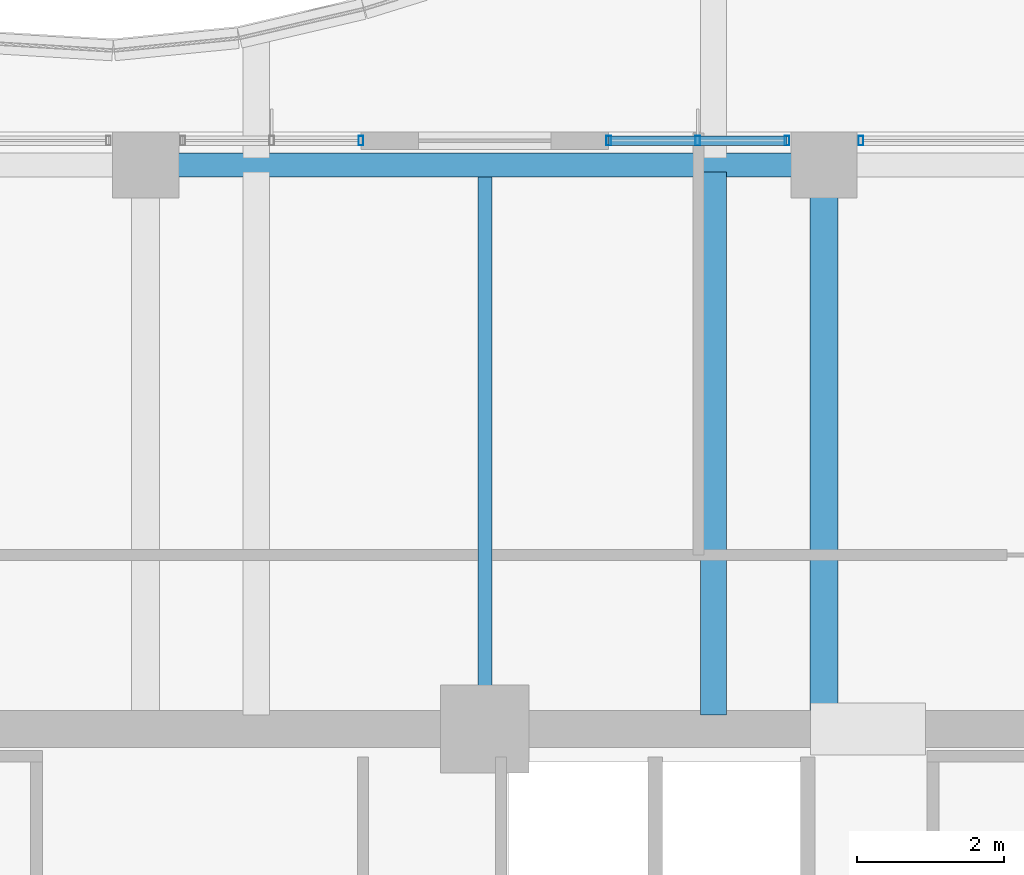
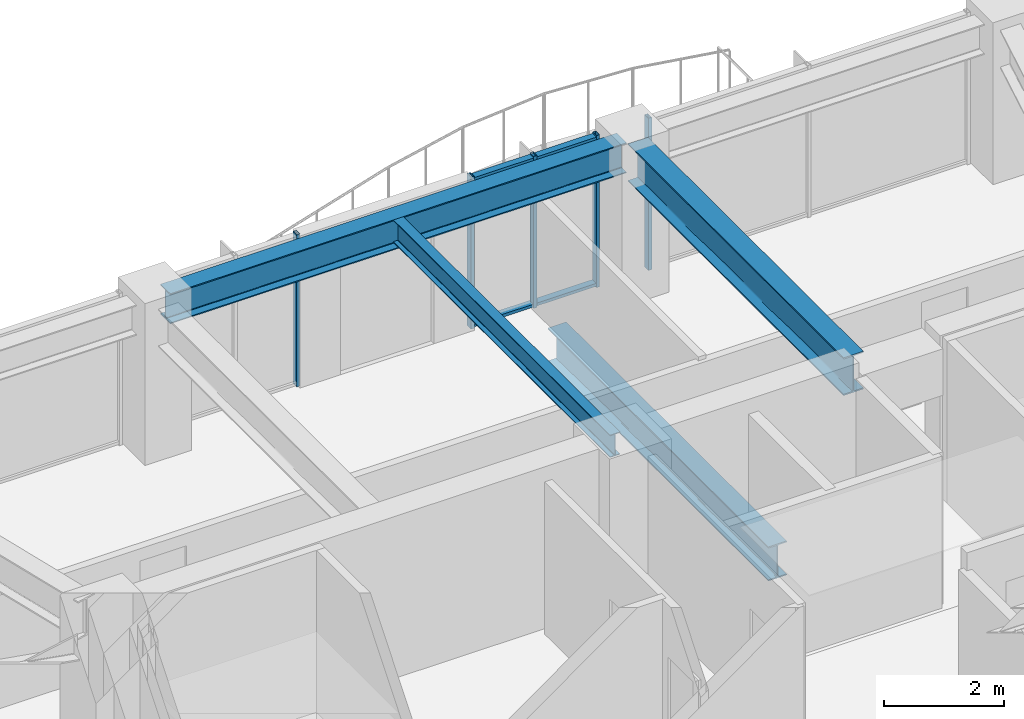
# One storey, part 18 of 31: 7 members, 4 beams, 3 elements without a shape of their own.
"""IFC4 building model written with IfcOpenShell, lengths in metres."""

from ifc_helpers import new_model, si_unit, direction, frame, origin, origin_2d, place, context, subcontext, project, spatial, hollow_rectangle, i_section, extrude, material, material_profile, profile_set, type_object, element, aggregate, save


model = new_model("IFC4")

# Units and contexts
model_context = context("Model", 3, precision=1e-05, world=origin(), true_north=direction((0.0, 1.0)))
body_context = subcontext(model_context, "Body", "Model", "MODEL_VIEW")
ifc_project = project(units=[si_unit("LENGTHUNIT", "METRE"), si_unit("AREAUNIT", "SQUARE_METRE"), si_unit("VOLUMEUNIT", "CUBIC_METRE"), si_unit("PLANEANGLEUNIT", "RADIAN"), si_unit("MASSUNIT", "GRAM", prefix="KILO")], contexts=[model_context])

# Site, building, storey
site_placement = place(None, origin())
site = spatial("IfcSite", under=ifc_project, at=site_placement, CompositionType="ELEMENT")
building_placement = place(site_placement, origin())
building = spatial("IfcBuilding", under=site, at=building_placement, Name="Kolvaren Belvedere", CompositionType="ELEMENT")
storey_placement = place(building_placement, frame((0.0, 0.0, 134.89990234375)))
storey = spatial("IfcBuildingStorey", under=building, at=storey_placement, Name="L39", CompositionType="ELEMENT", Elevation=134.89990234375)

# Beams
ifc_material_1 = material(Name="Structural steel ASTM A992 Grade 50", Category="steel")
ifc_material_profile_1 = material_profile(ifc_material_1, i_section(OverallWidth=0.35498046875, OverallDepth=0.696044921875, WebThickness=0.015380859375, FlangeThickness=0.02490234375, FilletRadius=0.02197265625, at=origin_2d()), Name="W27X146")
ifc_profile_set_1 = profile_set([ifc_material_profile_1], Name="Structural steel ASTM A992 Grade 50")
beam_type_1 = type_object("IfcBeamType", Name="BM-GIRD-W27X146", PredefinedType="BEAM", material=ifc_profile_set_1)
beam_1_placement = place(storey_placement, frame((3.10009765625, 10.090087890625, -0.5478515625), z_axis=(0.0, 1.0, 0.0), x_axis=(-1.0, 0.0, 0.0)))
element("IfcBeam", 1, at=beam_1_placement, inside=storey, type_object=beam_type_1, Name="L39 Balcony Interior Back-Span Girder BAL-N-2", PredefinedType="BEAM", context=body_context, shape_type="SweptSolid", body=[
    extrude(i_section(OverallWidth=0.35498046875, OverallDepth=0.696044921875, WebThickness=0.015380859375, FlangeThickness=0.02490234375, FilletRadius=0.02197265625, at=origin_2d()), origin(), (0.0, 0.0, 1.0), 7.364990234375),
])
ifc_material_2 = material(Name="Structural steel ASTM A992 Grade 50", Category="steel")
ifc_material_profile_2 = material_profile(ifc_material_2, i_section(OverallWidth=0.381103515625, OverallDepth=0.77294921875, WebThickness=0.0166015625, FlangeThickness=0.027099609375, FilletRadius=0.02392578125, at=origin_2d()), Name="W30X173")
ifc_profile_set_2 = profile_set([ifc_material_profile_2], Name="Structural steel ASTM A992 Grade 50")
beam_type_2 = type_object("IfcBeamType", Name="BM-GIRD-W30X173", PredefinedType="BEAM", material=ifc_profile_set_2)
beam_2_placement = place(storey_placement, frame((4.60009765625, 10.14990234375, 2.713623046875), z_axis=(0.0, 1.0, 0.0), x_axis=(-1.0, 0.0, 0.0)))
element("IfcBeam", 2, at=beam_2_placement, inside=storey, type_object=beam_type_2, Name="L39 North Radial Girder P", PredefinedType="BEAM", context=body_context, shape_type="SweptSolid", body=[
    extrude(i_section(OverallWidth=0.381103515625, OverallDepth=0.77294921875, WebThickness=0.0166015625, FlangeThickness=0.027099609375, FilletRadius=0.02392578125, at=origin_2d()), origin(), (0.0, 0.0, 1.0), 7.197509765625),
])
ifc_material_3 = material(Name="Structural steel ASTM A992 Grade 50", Category="steel")
ifc_material_profile_3 = material_profile(ifc_material_3, i_section(OverallWidth=0.19091796875, OverallDepth=0.4599609375, WebThickness=0.010009765625, FlangeThickness=0.01611328125, FilletRadius=0.014892578125, at=origin_2d()), Name="W18X55")
ifc_profile_set_3 = profile_set([ifc_material_profile_3], Name="Structural steel ASTM A992 Grade 50")
beam_type_3 = type_object("IfcBeamType", Name="BM-JOIST-W18X55", PredefinedType="BEAM", material=ifc_profile_set_3)
beam_3_placement = place(storey_placement, frame((0.0, 10.14990234375, 2.8701171875), z_axis=(0.0, 1.0, 0.0), x_axis=(-1.0, 0.0, 0.0)))
element("IfcBeam", 3, at=beam_3_placement, inside=storey, type_object=beam_type_3, Name="L39 North Centre Floor Beam", PredefinedType="BEAM", context=body_context, shape_type="SweptSolid", body=[
    extrude(i_section(OverallWidth=0.19091796875, OverallDepth=0.4599609375, WebThickness=0.010009765625, FlangeThickness=0.01611328125, FilletRadius=0.014892578125, at=origin_2d()), origin(), (0.0, 0.0, 1.0), 7.237548828125),
])
ifc_material_4 = material(Name="Structural steel ASTM A992 Grade 50", Category="steel")
ifc_material_profile_4 = material_profile(ifc_material_4, i_section(OverallWidth=0.324951171875, OverallDepth=0.615966796875, WebThickness=0.013916015625, FlangeThickness=0.021484375, FilletRadius=0.02001953125, at=origin_2d()), Name="W24X117")
ifc_profile_set_4 = profile_set([ifc_material_profile_4], Name="Structural steel ASTM A992 Grade 50")
beam_type_4 = type_object("IfcBeamType", Name="BM-SPAN-W24X117", PredefinedType="SPANDREL", material=ifc_profile_set_4)
beam_4_placement = place(storey_placement, frame((4.3974609375, 17.550048828125, 2.7919921875), z_axis=(-1.0, 0.0, 0.0), x_axis=(0.0, -1.0, 0.0)))
element("IfcBeam", 4, at=beam_4_placement, inside=storey, type_object=beam_type_4, Name="L39 Perimeter Spandrel N3-N2", PredefinedType="SPANDREL", context=body_context, shape_type="SweptSolid", body=[
    extrude(i_section(OverallWidth=0.324951171875, OverallDepth=0.615966796875, WebThickness=0.013916015625, FlangeThickness=0.021484375, FilletRadius=0.02001953125, at=origin_2d()), origin(), (0.0, 0.0, 1.0), 8.794921875),
])

# Curtain wall, member
ifc_material_5 = material(Name="Anodised pale-metal aluminium AA 6063-T6", Category="aluminium")
curtain_wall_type = type_object("IfcCurtainWallType", Name="CW-Z3-WAIST", PredefinedType="NOTDEFINED", material=ifc_material_5)
curtain_wall_1_placement = place(storey_placement, origin())
curtain_wall_1 = element("IfcCurtainWall", 5, at=curtain_wall_1_placement, inside=storey, type_object=curtain_wall_type, Name="L39 Unitised Curtain Wall FCW-L39-N1-B2", PredefinedType="NOTDEFINED")
ifc_material_6 = material(Name="Anodised pale-metal aluminium AA 6063-T6", Category="aluminium")
ifc_material_profile_5 = material_profile(ifc_material_6, hollow_rectangle(XDim=0.06494140625, YDim=0.1298828125, WallThickness=0.00390625, at=origin_2d()), Name="ALU-MUL-130X65")
ifc_profile_set_5 = profile_set([ifc_material_profile_5], Name="Anodised pale-metal aluminium AA 6063-T6")
member_type_1 = type_object("IfcMemberType", Name="CW-MUL-130", PredefinedType="MULLION", material=ifc_profile_set_5)
member_1_placement = place(storey_placement, frame((-1.679931640625, 17.8798828125, 0.0), z_axis=(0.0, 0.0, 1.0), x_axis=(1.0, 0.0, 0.0)))
member_1 = element("IfcMember", 6, at=member_1_placement, type_object=member_type_1, Name="FCW-L39-N1-B2 Unitised Mullion 3", PredefinedType="MULLION", context=body_context, shape_type="SweptSolid", body=[
    extrude(hollow_rectangle(XDim=0.06494140625, YDim=0.1298828125, WallThickness=0.00390625, at=origin_2d()), origin(), (0.0, 0.0, 1.0), 3.10009765625),
])
aggregate(curtain_wall_1, [member_1])

# Curtain wall, members
curtain_wall_2_placement = place(storey_placement, origin())
curtain_wall_2 = element("IfcCurtainWall", 7, at=curtain_wall_2_placement, inside=storey, type_object=curtain_wall_type, Name="L39 Unitised Curtain Wall FCW-L39-N2-B1", PredefinedType="NOTDEFINED")
member_2_placement = place(storey_placement, frame((1.679931640625, 17.8798828125, 0.0), z_axis=(0.0, 0.0, 1.0), x_axis=(1.0, 0.0, 0.0)))
member_2 = element("IfcMember", 8, at=member_2_placement, type_object=member_type_1, Name="FCW-L39-N2-B1 Unitised Mullion 1", PredefinedType="MULLION", context=body_context, shape_type="SweptSolid", body=[
    extrude(hollow_rectangle(XDim=0.06494140625, YDim=0.1298828125, WallThickness=0.00390625, at=origin_2d()), origin(), (0.0, 0.0, 1.0), 3.10009765625),
])
member_3_placement = place(storey_placement, frame((2.888671875, 17.8798828125, 0.0), z_axis=(0.0, 0.0, 1.0), x_axis=(1.0, 0.0, 0.0)))
member_3 = element("IfcMember", 9, at=member_3_placement, type_object=member_type_1, Name="FCW-L39-N2-B1 Unitised Mullion 2", PredefinedType="MULLION", context=body_context, shape_type="SweptSolid", body=[
    extrude(hollow_rectangle(XDim=0.06494140625, YDim=0.1298828125, WallThickness=0.00390625, at=origin_2d()), origin(), (0.0, 0.0, 1.0), 3.10009765625),
])
member_4_placement = place(storey_placement, frame((4.097412109375, 17.8798828125, 0.0), z_axis=(0.0, 0.0, 1.0), x_axis=(1.0, 0.0, 0.0)))
member_4 = element("IfcMember", 10, at=member_4_placement, type_object=member_type_1, Name="FCW-L39-N2-B1 Unitised Mullion 3", PredefinedType="MULLION", context=body_context, shape_type="SweptSolid", body=[
    extrude(hollow_rectangle(XDim=0.06494140625, YDim=0.1298828125, WallThickness=0.00390625, at=origin_2d()), origin(), (0.0, 0.0, 1.0), 3.10009765625),
])

# Curtain wall, member
curtain_wall_3_placement = place(storey_placement, origin())
curtain_wall_3 = element("IfcCurtainWall", 11, at=curtain_wall_3_placement, inside=storey, type_object=curtain_wall_type, Name="L39 Unitised Curtain Wall FCW-L39-N2-B2", PredefinedType="NOTDEFINED")
member_5_placement = place(storey_placement, frame((5.1025390625, 17.8798828125, 0.0), z_axis=(0.0, 0.0, 1.0), x_axis=(1.0, 0.0, 0.0)))
member_5 = element("IfcMember", 12, at=member_5_placement, type_object=member_type_1, Name="FCW-L39-N2-B2 Unitised Mullion 1", PredefinedType="MULLION", context=body_context, shape_type="SweptSolid", body=[
    extrude(hollow_rectangle(XDim=0.06494140625, YDim=0.1298828125, WallThickness=0.00390625, at=origin_2d()), origin(), (0.0, 0.0, 1.0), 3.10009765625),
])
aggregate(curtain_wall_3, [member_5])

# Member
ifc_material_7 = material(Name="Anodised pale-metal aluminium AA 6063-T6", Category="aluminium")
ifc_material_profile_6 = material_profile(ifc_material_7, hollow_rectangle(XDim=0.06005859375, YDim=0.1298828125, WallThickness=0.00390625, at=origin_2d()), Name="ALU-TRN-130X60")
ifc_profile_set_6 = profile_set([ifc_material_profile_6], Name="Anodised pale-metal aluminium AA 6063-T6")
member_type_2 = type_object("IfcMemberType", Name="CW-TRN-130", PredefinedType="USERDEFINED", material=ifc_profile_set_6)
member_6_placement = place(storey_placement, frame((1.679931640625, 17.8798828125, 0.06005859375), z_axis=(1.0, 0.0, 0.0), x_axis=(0.0, 0.0, 1.0)))
member_6 = element("IfcMember", 13, at=member_6_placement, type_object=member_type_2, Name="FCW-L39-N2-B1 Sill Transom", ObjectType="TRANSOM", PredefinedType="USERDEFINED", context=body_context, shape_type="SweptSolid", body=[
    extrude(hollow_rectangle(XDim=0.06005859375, YDim=0.1298828125, WallThickness=0.00390625, at=origin_2d()), origin(), (0.0, 0.0, 1.0), 2.41748046875),
])

member_7_placement = place(storey_placement, frame((1.679931640625, 17.8798828125, 3.0400390625), z_axis=(1.0, 0.0, 0.0), x_axis=(0.0, 0.0, 1.0)))
member_7 = element("IfcMember", 14, at=member_7_placement, type_object=member_type_2, Name="FCW-L39-N2-B1 Head Transom", ObjectType="TRANSOM", PredefinedType="USERDEFINED", context=body_context, shape_type="SweptSolid", body=[
    extrude(hollow_rectangle(XDim=0.06005859375, YDim=0.1298828125, WallThickness=0.00390625, at=origin_2d()), origin(), (0.0, 0.0, 1.0), 2.41748046875),
])

aggregate(curtain_wall_2, [member_2, member_3, member_4, member_6, member_7])

save(model, "model.ifc")
